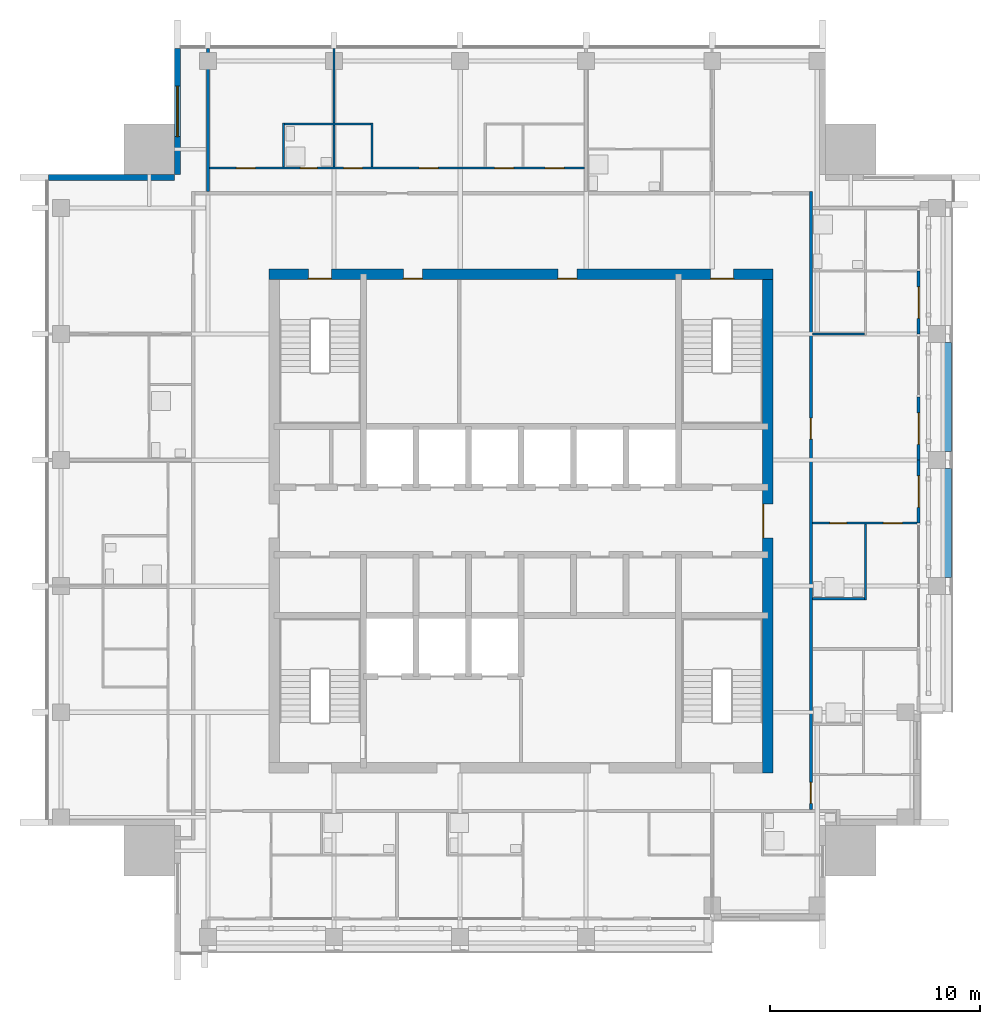
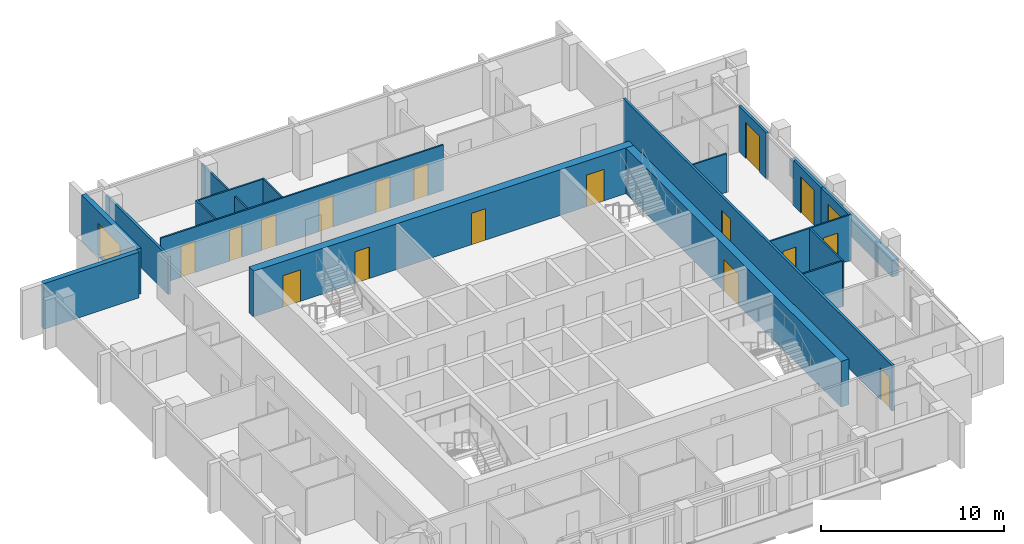
# One storey, part 10 of 15: 20 walls, 18 doors, 1 window, 19 openings.
"""IFC4 building model written with IfcOpenShell, lengths in metres."""

from ifc_helpers import new_model, si_unit, direction, frame, frame_2d, origin, place, context, subcontext, project, spatial, rectangle, extrude, material, layer, layer_set, type_object, element, fill, save


model = new_model("IFC4")

# Units and contexts
model_context = context("Model", 3, precision=1e-05, world=origin(), true_north=direction((0.0, 1.0)))
body_context = subcontext(model_context, "Body", "Model", "MODEL_VIEW")
ifc_project = project(units=[si_unit("LENGTHUNIT", "METRE"), si_unit("AREAUNIT", "SQUARE_METRE"), si_unit("VOLUMEUNIT", "CUBIC_METRE"), si_unit("PLANEANGLEUNIT", "RADIAN"), si_unit("MASSUNIT", "GRAM", prefix="KILO")], contexts=[model_context])

# Site, building, storey
site_placement = place(None, origin())
site = spatial("IfcSite", under=ifc_project, at=site_placement, CompositionType="ELEMENT")
building_placement = place(site_placement, origin())
building = spatial("IfcBuilding", under=site, at=building_placement, Name="Amberfall Residences", CompositionType="ELEMENT")
storey_placement = place(building_placement, frame((0.0, 0.0, 268.60009765625)))
storey = spatial("IfcBuildingStorey", under=building, at=storey_placement, Name="L72", CompositionType="ELEMENT", Elevation=268.60009765625)

# Wall, opening, window
ifc_material_1 = material(Name="Pale stone cladding on insulated backing", Category="masonry")
ifc_layer_1 = layer(ifc_material_1, 0.300048828125)
ifc_layer_set_1 = layer_set([ifc_layer_1], Name="Bronze clad wall 300")
wall_type_1 = type_object("IfcWallType", Name="Bronze clad wall 300", PredefinedType="SOLIDWALL", material=ifc_layer_set_1)
wall_1_placement = place(storey_placement, frame((58.14990234375, 68.0, 0.0), z_axis=(0.0, 0.0, 1.0), x_axis=(0.0, -1.0, 0.0)))
wall_1 = element("IfcWall", 1, at=wall_1_placement, inside=storey, type_object=wall_type_1, Name="External wall L72 NW", PredefinedType="SOLIDWALL", context=body_context, shape_type="SweptSolid", body=[
    extrude(rectangle(XDim=6.0, YDim=0.300048828125, at=frame_2d((3.0, 0.0))), origin(), (0.0, 0.0, 1.0), 3.0498046875),
])
opening_1_placement = place(wall_1_placement, frame((1.800048828125, 0.0, 0.14990234375)))
opening_1 = element("IfcOpeningElement", 2, at=opening_1_placement, cuts=wall_1, Name="Opening WN5", PredefinedType="OPENING", context=body_context, shape_type="SweptSolid", body=[
    extrude(rectangle(XDim=2.39990234375, YDim=2.10009765625, at=frame_2d((1.199951171875, 1.050048828125))), frame((0.0, 0.159912109375, 0.0), z_axis=(0.0, -1.0, 0.0), x_axis=(1.0, 0.0, 0.0)), (0.0, 0.0, 1.0), 0.320068359375),
])
ifc_material_2 = material(Name="Bronze aluminium framed glazing", Category="aluminium")
window_type = type_object("IfcWindowType", Name="Glazed opening 2400 x 2100 bronze", PartitioningType="DOUBLE_PANEL_VERTICAL", PredefinedType="WINDOW", material=ifc_material_2)
window_placement = place(opening_1_placement, origin())
window = element("IfcWindow", 3, at=window_placement, inside=storey, type_object=window_type, Name="Window L72 NW", OverallHeight=2.10009765625, OverallWidth=2.39990234375, PartitioningType="DOUBLE_PANEL_VERTICAL", PredefinedType="WINDOW", context=body_context, shape_type="SweptSolid", body=[
    extrude(rectangle(XDim=2.39990234375, YDim=2.10009765625, at=frame_2d((1.199951171875, 1.050048828125))), frame((0.0, 0.030029296875, 0.0), z_axis=(0.0, -1.0, 0.0), x_axis=(1.0, 0.0, 0.0)), (0.0, 0.0, 1.0), 0.06005859375),
])
fill(opening_1, window)

# Wall
wall_2_placement = place(storey_placement, frame((58.0, 61.85009765625, 0.0), z_axis=(0.0, 0.0, 1.0), x_axis=(-1.0, 0.0, 0.0)))
element("IfcWall", 4, at=wall_2_placement, inside=storey, type_object=wall_type_1, Name="External wall L72 NW", PredefinedType="SOLIDWALL", context=body_context, shape_type="SweptSolid", body=[
    extrude(rectangle(XDim=6.0, YDim=0.300048828125, at=frame_2d((3.0, 0.0))), origin(), (0.0, 0.0, 1.0), 3.0498046875),
])

# Wall, openings, doors
ifc_material_3 = material(Name="Concrete C50", Category="concrete")
ifc_layer_2 = layer(ifc_material_3, 0.5)
ifc_layer_set_2 = layer_set([ifc_layer_2], Name="Core wall 500 C50")
wall_type_2 = type_object("IfcWallType", Name="Core wall 500 C50", PredefinedType="SHEAR", material=ifc_layer_set_2)
wall_3_placement = place(storey_placement, frame((62.5, 57.25, 0.0), z_axis=(0.0, 0.0, 1.0), x_axis=(1.0, 0.0, 0.0)))
wall_3 = element("IfcWall", 5, at=wall_3_placement, inside=storey, type_object=wall_type_2, Name="Core wall RW9 L72 ON", PredefinedType="SHEAR", context=body_context, shape_type="SweptSolid", body=[
    extrude(rectangle(XDim=24.0, YDim=0.5, at=frame_2d((12.0, 0.0))), origin(), (0.0, 0.0, 1.0), 3.0498046875),
])
opening_2_placement = place(wall_3_placement, frame((21.02490234375, 0.0, 0.0)))
opening_2 = element("IfcOpeningElement", 6, at=opening_2_placement, cuts=wall_3, Name="Opening SD1", PredefinedType="OPENING", context=body_context, shape_type="SweptSolid", body=[
    extrude(rectangle(XDim=1.10009765625, YDim=2.10009765625, at=frame_2d((0.550048828125, 1.050048828125))), frame((0.0, 0.260009765625, 0.0), z_axis=(0.0, -1.0, 0.0), x_axis=(1.0, 0.0, 0.0)), (0.0, 0.0, 1.0), 0.52001953125),
])
opening_3_placement = place(wall_3_placement, frame((1.875, 0.0, 0.0)))
opening_3 = element("IfcOpeningElement", 7, at=opening_3_placement, cuts=wall_3, Name="Opening SD1", PredefinedType="OPENING", context=body_context, shape_type="SweptSolid", body=[
    extrude(rectangle(XDim=1.10009765625, YDim=2.10009765625, at=frame_2d((0.550048828125, 1.050048828125))), frame((0.0, 0.260009765625, 0.0), z_axis=(0.0, -1.0, 0.0), x_axis=(1.0, 0.0, 0.0)), (0.0, 0.0, 1.0), 0.52001953125),
])
opening_4_placement = place(wall_3_placement, frame((6.405029296875, 0.0, 0.0)))
opening_4 = element("IfcOpeningElement", 8, at=opening_4_placement, cuts=wall_3, Name="Opening RD1", PredefinedType="OPENING", context=body_context, shape_type="SweptSolid", body=[
    extrude(rectangle(XDim=0.89990234375, YDim=2.10009765625, at=frame_2d((0.449951171875, 1.050048828125))), frame((0.0, 0.260009765625, 0.0), z_axis=(0.0, -1.0, 0.0), x_axis=(1.0, 0.0, 0.0)), (0.0, 0.0, 1.0), 0.52001953125),
])
opening_5_placement = place(wall_3_placement, frame((13.7548828125, 0.0, 0.0)))
opening_5 = element("IfcOpeningElement", 9, at=opening_5_placement, cuts=wall_3, Name="Opening RD1", PredefinedType="OPENING", context=body_context, shape_type="SweptSolid", body=[
    extrude(rectangle(XDim=0.89990234375, YDim=2.10009765625, at=frame_2d((0.449951171875, 1.050048828125))), frame((0.0, 0.260009765625, 0.0), z_axis=(0.0, -1.0, 0.0), x_axis=(1.0, 0.0, 0.0)), (0.0, 0.0, 1.0), 0.52001953125),
])
ifc_material_4 = material(Name="Steel fire door set", Category="steel")
door_type_1 = type_object("IfcDoorType", Name="Service room door 900 x 2100", OperationType="SINGLE_SWING_LEFT", PredefinedType="DOOR", material=ifc_material_4)
door_1_placement = place(opening_4_placement, origin())
door_1 = element("IfcDoor", 10, at=door_1_placement, inside=storey, type_object=door_type_1, Name="RD1 L72", OperationType="SINGLE_SWING_RIGHT", OverallHeight=2.10009765625, OverallWidth=0.89990234375, PredefinedType="DOOR", context=body_context, shape_type="SweptSolid", body=[
    extrude(rectangle(XDim=0.89990234375, YDim=2.10009765625, at=frame_2d((0.449951171875, 1.050048828125))), frame((0.0, -0.1875, 0.0), z_axis=(0.0, -1.0, 0.0), x_axis=(1.0, 0.0, 0.0)), (0.0, 0.0, 1.0), 0.050048828125),
])
fill(opening_4, door_1)
door_2_placement = place(opening_5_placement, origin())
door_2 = element("IfcDoor", 11, at=door_2_placement, inside=storey, type_object=door_type_1, Name="RD1 L72", OperationType="SINGLE_SWING_RIGHT", OverallHeight=2.10009765625, OverallWidth=0.89990234375, PredefinedType="DOOR", context=body_context, shape_type="SweptSolid", body=[
    extrude(rectangle(XDim=0.89990234375, YDim=2.10009765625, at=frame_2d((0.449951171875, 1.050048828125))), frame((0.0, -0.1875, 0.0), z_axis=(0.0, -1.0, 0.0), x_axis=(1.0, 0.0, 0.0)), (0.0, 0.0, 1.0), 0.050048828125),
])
fill(opening_5, door_2)
door_type_2 = type_object("IfcDoorType", Name="Stair door 1100 x 2100", OperationType="SINGLE_SWING_LEFT", PredefinedType="DOOR", material=ifc_material_4)
door_3_placement = place(opening_2_placement, origin())
door_3 = element("IfcDoor", 12, at=door_3_placement, inside=storey, type_object=door_type_2, Name="SD1 L72", OperationType="SINGLE_SWING_RIGHT", OverallHeight=2.10009765625, OverallWidth=1.10009765625, PredefinedType="DOOR", context=body_context, shape_type="SweptSolid", body=[
    extrude(rectangle(XDim=1.10009765625, YDim=2.10009765625, at=frame_2d((0.550048828125, 1.050048828125))), frame((0.0, -0.1875, 0.0), z_axis=(0.0, -1.0, 0.0), x_axis=(1.0, 0.0, 0.0)), (0.0, 0.0, 1.0), 0.050048828125),
])
fill(opening_2, door_3)
door_4_placement = place(opening_3_placement, origin())
door_4 = element("IfcDoor", 13, at=door_4_placement, inside=storey, type_object=door_type_2, Name="SD1 L72", OperationType="SINGLE_SWING_LEFT", OverallHeight=2.10009765625, OverallWidth=1.10009765625, PredefinedType="DOOR", context=body_context, shape_type="SweptSolid", body=[
    extrude(rectangle(XDim=1.10009765625, YDim=2.10009765625, at=frame_2d((0.550048828125, 1.050048828125))), frame((0.0, -0.1875, 0.0), z_axis=(0.0, -1.0, 0.0), x_axis=(1.0, 0.0, 0.0)), (0.0, 0.0, 1.0), 0.050048828125),
])
fill(opening_3, door_4)

# Wall, opening, door
wall_4_placement = place(storey_placement, frame((86.25, 33.5, 0.0), z_axis=(0.0, 0.0, 1.0), x_axis=(0.0, 1.0, 0.0)))
wall_4 = element("IfcWall", 14, at=wall_4_placement, inside=storey, type_object=wall_type_2, Name="Core wall RW9 L72 OE", PredefinedType="SHEAR", context=body_context, shape_type="SweptSolid", body=[
    extrude(rectangle(XDim=24.0, YDim=0.5, at=frame_2d((12.0, 0.0))), origin(), (0.0, 0.0, 1.0), 3.0498046875),
])
opening_6_placement = place(wall_4_placement, frame((11.199951171875, 0.0, 0.0)))
opening_6 = element("IfcOpeningElement", 15, at=opening_6_placement, cuts=wall_4, Name="Opening LB1", PredefinedType="OPENING", context=body_context, shape_type="SweptSolid", body=[
    extrude(rectangle(XDim=1.60009765625, YDim=2.10009765625, at=frame_2d((0.800048828125, 1.050048828125))), frame((0.0, 0.260009765625, 0.0), z_axis=(0.0, -1.0, 0.0), x_axis=(1.0, 0.0, 0.0)), (0.0, 0.0, 1.0), 0.52001953125),
])
door_type_3 = type_object("IfcDoorType", Name="Lift lobby double door 1600 x 2100", OperationType="DOUBLE_DOOR_SINGLE_SWING", PredefinedType="DOOR", material=ifc_material_4)
door_5_placement = place(opening_6_placement, origin())
door_5 = element("IfcDoor", 16, at=door_5_placement, inside=storey, type_object=door_type_3, Name="LB1 L72", OperationType="DOUBLE_DOOR_SINGLE_SWING", OverallHeight=2.10009765625, OverallWidth=1.60009765625, PredefinedType="DOOR", context=body_context, shape_type="SweptSolid", body=[
    extrude(rectangle(XDim=1.60009765625, YDim=2.10009765625, at=frame_2d((0.800048828125, 1.050048828125))), frame((0.0, 0.2373046875, 0.0), z_axis=(0.0, -1.0, 0.0), x_axis=(1.0, 0.0, 0.0)), (0.0, 0.0, 1.0), 0.050048828125),
])
fill(opening_6, door_5)

# Walls
ifc_material_5 = material(Name="Gypsum board on metal stud")
ifc_layer_3 = layer(ifc_material_5, 0.10009765625)
ifc_layer_set_3 = layer_set([ifc_layer_3], Name="Flat partition 100")
wall_type_3 = type_object("IfcWallType", Name="Flat partition 100", PredefinedType="PARTITIONING", material=ifc_layer_set_3)
wall_5_placement = place(storey_placement, frame((63.199951171875, 62.35009765625, 0.0), z_axis=(0.0, 0.0, 1.0), x_axis=(0.0, 1.0, 0.0)))
element("IfcWall", 17, at=wall_5_placement, inside=storey, type_object=wall_type_3, Name="Partition 005", PredefinedType="PARTITIONING", context=body_context, shape_type="SweptSolid", body=[
    extrude(rectangle(XDim=2.099853515625, YDim=0.10009765625, at=frame_2d((1.0498046875, 0.0))), origin(), (0.0, 0.0, 1.0), 3.0498046875),
])
wall_6_placement = place(storey_placement, frame((65.60009765625, 62.35009765625, 0.0), z_axis=(0.0, 0.0, 1.0), x_axis=(0.0, 1.0, 0.0)))
element("IfcWall", 18, at=wall_6_placement, inside=storey, type_object=wall_type_3, Name="Partition 007", PredefinedType="PARTITIONING", context=body_context, shape_type="SweptSolid", body=[
    extrude(rectangle(XDim=5.64990234375, YDim=0.10009765625, at=frame_2d((2.824951171875, 0.0))), origin(), (0.0, 0.0, 1.0), 2.515869140625),
])
wall_7_placement = place(storey_placement, frame((67.39990234375, 62.35009765625, 0.0), z_axis=(0.0, 0.0, 1.0), x_axis=(0.0, 1.0, 0.0)))
element("IfcWall", 19, at=wall_7_placement, inside=storey, type_object=wall_type_3, Name="Partition 008", PredefinedType="PARTITIONING", context=body_context, shape_type="SweptSolid", body=[
    extrude(rectangle(XDim=2.099853515625, YDim=0.10009765625, at=frame_2d((1.0498046875, 0.0))), origin(), (0.0, 0.0, 1.0), 3.0498046875),
])
wall_8_placement = place(storey_placement, frame((90.89990234375, 41.75, 0.0), z_axis=(0.0, 0.0, 1.0), x_axis=(0.0, 1.0, 0.0)))
element("IfcWall", 20, at=wall_8_placement, inside=storey, type_object=wall_type_3, Name="Partition 019", PredefinedType="PARTITIONING", context=body_context, shape_type="SweptSolid", body=[
    extrude(rectangle(XDim=3.60009765625, YDim=0.10009765625, at=frame_2d((1.800048828125, 0.0))), origin(), (0.0, 0.0, 1.0), 3.0498046875),
])
wall_9_placement = place(storey_placement, frame((63.25, 64.39990234375, 0.0), z_axis=(0.0, 0.0, 1.0), x_axis=(1.0, 0.0, 0.0)))
element("IfcWall", 21, at=wall_9_placement, inside=storey, type_object=wall_type_3, Name="Partition 021", PredefinedType="PARTITIONING", context=body_context, shape_type="SweptSolid", body=[
    extrude(rectangle(XDim=4.10009765625, YDim=0.10009765625, at=frame_2d((2.050048828125, 0.0))), origin(), (0.0, 0.0, 1.0), 3.0498046875),
])

# Wall, openings, doors
wall_10_placement = place(storey_placement, frame((59.675048828125, 62.300048828125, 0.0), z_axis=(0.0, 0.0, 1.0), x_axis=(1.0, 0.0, 0.0)))
wall_10 = element("IfcWall", 22, at=wall_10_placement, inside=storey, type_object=wall_type_3, Name="Partition 024", PredefinedType="PARTITIONING", context=body_context, shape_type="SweptSolid", body=[
    extrude(rectangle(XDim=17.849853515625, YDim=0.10009765625, at=frame_2d((8.9248046875, 0.0))), origin(), (0.0, 0.0, 1.0), 3.0498046875),
])
opening_7_placement = place(wall_10_placement, frame((9.97509765625, 0.0, 0.0)))
opening_7 = element("IfcOpeningElement", 23, at=opening_7_placement, cuts=wall_10, Name="Opening D41", PredefinedType="OPENING", context=body_context, shape_type="SweptSolid", body=[
    extrude(rectangle(XDim=0.89990234375, YDim=2.10009765625, at=frame_2d((0.449951171875, 1.050048828125))), frame((0.0, 0.06005859375, 0.0), z_axis=(0.0, -1.0, 0.0), x_axis=(1.0, 0.0, 0.0)), (0.0, 0.0, 1.0), 0.1201171875),
])
opening_8_placement = place(wall_10_placement, frame((15.97509765625, 0.0, 0.0)))
opening_8 = element("IfcOpeningElement", 24, at=opening_8_placement, cuts=wall_10, Name="Opening D41", PredefinedType="OPENING", context=body_context, shape_type="SweptSolid", body=[
    extrude(rectangle(XDim=0.89990234375, YDim=2.10009765625, at=frame_2d((0.449951171875, 1.050048828125))), frame((0.0, 0.06005859375, 0.0), z_axis=(0.0, -1.0, 0.0), x_axis=(1.0, 0.0, 0.0)), (0.0, 0.0, 1.0), 0.1201171875),
])
opening_9_placement = place(wall_10_placement, frame((13.574951171875, 0.0, 0.0)))
opening_9 = element("IfcOpeningElement", 25, at=opening_9_placement, cuts=wall_10, Name="Opening D41", PredefinedType="OPENING", context=body_context, shape_type="SweptSolid", body=[
    extrude(rectangle(XDim=0.89990234375, YDim=2.10009765625, at=frame_2d((0.449951171875, 1.050048828125))), frame((0.0, 0.06005859375, 0.0), z_axis=(0.0, -1.0, 0.0), x_axis=(1.0, 0.0, 0.0)), (0.0, 0.0, 1.0), 0.1201171875),
])
opening_10_placement = place(wall_10_placement, frame((6.375, 0.0, 0.0)))
opening_10 = element("IfcOpeningElement", 26, at=opening_10_placement, cuts=wall_10, Name="Opening D41", PredefinedType="OPENING", context=body_context, shape_type="SweptSolid", body=[
    extrude(rectangle(XDim=0.89990234375, YDim=2.10009765625, at=frame_2d((0.449951171875, 1.050048828125))), frame((0.0, 0.06005859375, 0.0), z_axis=(0.0, -1.0, 0.0), x_axis=(1.0, 0.0, 0.0)), (0.0, 0.0, 1.0), 0.1201171875),
])
opening_11_placement = place(wall_10_placement, frame((1.27490234375, 0.0, 0.0)))
opening_11 = element("IfcOpeningElement", 27, at=opening_11_placement, cuts=wall_10, Name="Opening D41", PredefinedType="OPENING", context=body_context, shape_type="SweptSolid", body=[
    extrude(rectangle(XDim=0.89990234375, YDim=2.10009765625, at=frame_2d((0.449951171875, 1.050048828125))), frame((0.0, 0.06005859375, 0.0), z_axis=(0.0, -1.0, 0.0), x_axis=(1.0, 0.0, 0.0)), (0.0, 0.0, 1.0), 0.1201171875),
])
opening_12_placement = place(wall_10_placement, frame((4.324951171875, 0.0, 0.0)))
opening_12 = element("IfcOpeningElement", 28, at=opening_12_placement, cuts=wall_10, Name="Opening D42", PredefinedType="OPENING", context=body_context, shape_type="SweptSolid", body=[
    extrude(rectangle(XDim=0.800048828125, YDim=2.10009765625, at=frame_2d((0.39990234375, 1.050048828125))), frame((0.0, 0.06005859375, 0.0), z_axis=(0.0, -1.0, 0.0), x_axis=(1.0, 0.0, 0.0)), (0.0, 0.0, 1.0), 0.1201171875),
])
ifc_material_6 = material(Name="Timber", Category="wood")
door_type_4 = type_object("IfcDoorType", Name="Bathroom door 800 x 2100", OperationType="SINGLE_SWING_LEFT", PredefinedType="DOOR", material=ifc_material_6)
door_6_placement = place(opening_12_placement, origin())
door_6 = element("IfcDoor", 29, at=door_6_placement, inside=storey, type_object=door_type_4, Name="Door 7205 bath1", OperationType="SINGLE_SWING_LEFT", OverallHeight=2.10009765625, OverallWidth=0.800048828125, PredefinedType="DOOR", context=body_context, shape_type="SweptSolid", body=[
    extrude(rectangle(XDim=0.800048828125, YDim=2.10009765625, at=frame_2d((0.39990234375, 1.050048828125))), frame((0.0, 0.02490234375, 0.0), z_axis=(0.0, -1.0, 0.0), x_axis=(1.0, 0.0, 0.0)), (0.0, 0.0, 1.0), 0.050048828125),
])
fill(opening_12, door_6)
door_type_5 = type_object("IfcDoorType", Name="Internal door 900 x 2100", OperationType="SINGLE_SWING_LEFT", PredefinedType="DOOR", material=ifc_material_6)
door_7_placement = place(opening_7_placement, origin())
door_7 = element("IfcDoor", 30, at=door_7_placement, inside=storey, type_object=door_type_5, Name="Door 7205 living", OperationType="SINGLE_SWING_LEFT", OverallHeight=2.10009765625, OverallWidth=0.89990234375, PredefinedType="DOOR", context=body_context, shape_type="SweptSolid", body=[
    extrude(rectangle(XDim=0.89990234375, YDim=2.10009765625, at=frame_2d((0.449951171875, 1.050048828125))), frame((0.0, 0.02490234375, 0.0), z_axis=(0.0, -1.0, 0.0), x_axis=(1.0, 0.0, 0.0)), (0.0, 0.0, 1.0), 0.050048828125),
])
fill(opening_7, door_7)
door_8_placement = place(opening_8_placement, origin())
door_8 = element("IfcDoor", 31, at=door_8_placement, inside=storey, type_object=door_type_5, Name="Door 7205 kitchen", OperationType="SINGLE_SWING_LEFT", OverallHeight=2.10009765625, OverallWidth=0.89990234375, PredefinedType="DOOR", context=body_context, shape_type="SweptSolid", body=[
    extrude(rectangle(XDim=0.89990234375, YDim=2.10009765625, at=frame_2d((0.449951171875, 1.050048828125))), frame((0.0, 0.02490234375, 0.0), z_axis=(0.0, -1.0, 0.0), x_axis=(1.0, 0.0, 0.0)), (0.0, 0.0, 1.0), 0.050048828125),
])
fill(opening_8, door_8)
door_9_placement = place(opening_9_placement, origin())
door_9 = element("IfcDoor", 32, at=door_9_placement, inside=storey, type_object=door_type_5, Name="Door 7205 utility", OperationType="SINGLE_SWING_LEFT", OverallHeight=2.10009765625, OverallWidth=0.89990234375, PredefinedType="DOOR", context=body_context, shape_type="SweptSolid", body=[
    extrude(rectangle(XDim=0.89990234375, YDim=2.10009765625, at=frame_2d((0.449951171875, 1.050048828125))), frame((0.0, 0.02490234375, 0.0), z_axis=(0.0, -1.0, 0.0), x_axis=(1.0, 0.0, 0.0)), (0.0, 0.0, 1.0), 0.050048828125),
])
fill(opening_9, door_9)
door_10_placement = place(opening_10_placement, origin())
door_10 = element("IfcDoor", 33, at=door_10_placement, inside=storey, type_object=door_type_5, Name="Door 7205 store", OperationType="SINGLE_SWING_LEFT", OverallHeight=2.10009765625, OverallWidth=0.89990234375, PredefinedType="DOOR", context=body_context, shape_type="SweptSolid", body=[
    extrude(rectangle(XDim=0.89990234375, YDim=2.10009765625, at=frame_2d((0.449951171875, 1.050048828125))), frame((0.0, 0.02490234375, 0.0), z_axis=(0.0, -1.0, 0.0), x_axis=(1.0, 0.0, 0.0)), (0.0, 0.0, 1.0), 0.050048828125),
])
fill(opening_10, door_10)
door_11_placement = place(opening_11_placement, origin())
door_11 = element("IfcDoor", 34, at=door_11_placement, inside=storey, type_object=door_type_5, Name="Door 7205 bedroom1", OperationType="SINGLE_SWING_LEFT", OverallHeight=2.10009765625, OverallWidth=0.89990234375, PredefinedType="DOOR", context=body_context, shape_type="SweptSolid", body=[
    extrude(rectangle(XDim=0.89990234375, YDim=2.10009765625, at=frame_2d((0.449951171875, 1.050048828125))), frame((0.0, 0.02490234375, 0.0), z_axis=(0.0, -1.0, 0.0), x_axis=(1.0, 0.0, 0.0)), (0.0, 0.0, 1.0), 0.050048828125),
])
fill(opening_11, door_11)

# Wall
wall_11_placement = place(storey_placement, frame((88.375, 54.39990234375, 0.0), z_axis=(0.0, 0.0, 1.0), x_axis=(1.0, 0.0, 0.0)))
element("IfcWall", 35, at=wall_11_placement, inside=storey, type_object=wall_type_3, Name="Partition 027", PredefinedType="PARTITIONING", context=body_context, shape_type="SweptSolid", body=[
    extrude(rectangle(XDim=2.47509765625, YDim=0.10009765625, at=frame_2d((1.237548828125, 0.0))), origin(), (0.0, 0.0, 1.0), 2.58984375),
])

# Wall, openings, doors
wall_12_placement = place(storey_placement, frame((93.5, 45.39990234375, 0.0), z_axis=(0.0, 0.0, 1.0), x_axis=(-1.0, 0.0, 0.0)))
wall_12 = element("IfcWall", 36, at=wall_12_placement, inside=storey, type_object=wall_type_3, Name="Partition 029", PredefinedType="PARTITIONING", context=body_context, shape_type="SweptSolid", body=[
    extrude(rectangle(XDim=5.125, YDim=0.10009765625, at=frame_2d((2.5625, 0.0))), origin(), (0.0, 0.0, 1.0), 3.0498046875),
])
opening_13_placement = place(wall_12_placement, frame((0.85009765625, 0.0, 0.0)))
opening_13 = element("IfcOpeningElement", 37, at=opening_13_placement, cuts=wall_12, Name="Opening D41", PredefinedType="OPENING", context=body_context, shape_type="SweptSolid", body=[
    extrude(rectangle(XDim=0.89990234375, YDim=2.10009765625, at=frame_2d((0.449951171875, 1.050048828125))), frame((0.0, 0.06005859375, 0.0), z_axis=(0.0, -1.0, 0.0), x_axis=(1.0, 0.0, 0.0)), (0.0, 0.0, 1.0), 0.1201171875),
])
opening_14_placement = place(wall_12_placement, frame((3.5, 0.0, 0.0)))
opening_14 = element("IfcOpeningElement", 38, at=opening_14_placement, cuts=wall_12, Name="Opening D42", PredefinedType="OPENING", context=body_context, shape_type="SweptSolid", body=[
    extrude(rectangle(XDim=0.800048828125, YDim=2.10009765625, at=frame_2d((0.39990234375, 1.050048828125))), frame((0.0, 0.06005859375, 0.0), z_axis=(0.0, -1.0, 0.0), x_axis=(1.0, 0.0, 0.0)), (0.0, 0.0, 1.0), 0.1201171875),
])
door_12_placement = place(opening_14_placement, origin())
door_12 = element("IfcDoor", 39, at=door_12_placement, inside=storey, type_object=door_type_4, Name="Door 7204 bath1", OperationType="SINGLE_SWING_LEFT", OverallHeight=2.10009765625, OverallWidth=0.800048828125, PredefinedType="DOOR", context=body_context, shape_type="SweptSolid", body=[
    extrude(rectangle(XDim=0.800048828125, YDim=2.10009765625, at=frame_2d((0.39990234375, 1.050048828125))), frame((0.0, 0.02490234375, 0.0), z_axis=(0.0, -1.0, 0.0), x_axis=(1.0, 0.0, 0.0)), (0.0, 0.0, 1.0), 0.050048828125),
])
fill(opening_14, door_12)
door_13_placement = place(opening_13_placement, origin())
door_13 = element("IfcDoor", 40, at=door_13_placement, inside=storey, type_object=door_type_5, Name="Door 7204 bedroom1", OperationType="SINGLE_SWING_LEFT", OverallHeight=2.10009765625, OverallWidth=0.89990234375, PredefinedType="DOOR", context=body_context, shape_type="SweptSolid", body=[
    extrude(rectangle(XDim=0.89990234375, YDim=2.10009765625, at=frame_2d((0.449951171875, 1.050048828125))), frame((0.0, 0.02490234375, 0.0), z_axis=(0.0, -1.0, 0.0), x_axis=(1.0, 0.0, 0.0)), (0.0, 0.0, 1.0), 0.050048828125),
])
fill(opening_13, door_13)

# Walls
wall_13_placement = place(storey_placement, frame((88.375, 41.800048828125, 0.0), z_axis=(0.0, 0.0, 1.0), x_axis=(1.0, 0.0, 0.0)))
element("IfcWall", 41, at=wall_13_placement, inside=storey, type_object=wall_type_3, Name="Partition 032", PredefinedType="PARTITIONING", context=body_context, shape_type="SweptSolid", body=[
    extrude(rectangle(XDim=2.47509765625, YDim=0.10009765625, at=frame_2d((1.237548828125, 0.0))), origin(), (0.0, 0.0, 1.0), 3.0498046875),
])
ifc_material_7 = material(Name="Blockwork, plastered", Category="masonry")
ifc_layer_4 = layer(ifc_material_7, 0.14990234375)
ifc_layer_set_4 = layer_set([ifc_layer_4], Name="Flat separating wall 150")
wall_type_4 = type_object("IfcWallType", Name="Flat separating wall 150", PredefinedType="PARTITIONING", material=ifc_layer_set_4)
wall_14_placement = place(storey_placement, frame((59.60009765625, 61.175048828125, 0.0), z_axis=(0.0, 0.0, 1.0), x_axis=(0.0, 1.0, 0.0)))
element("IfcWall", 42, at=wall_14_placement, inside=storey, type_object=wall_type_4, Name="Separating wall 043", PredefinedType="PARTITIONING", context=body_context, shape_type="SweptSolid", body=[
    extrude(rectangle(XDim=6.824951171875, YDim=0.14990234375, at=frame_2d((3.41259765625, 0.0))), origin(), (0.0, 0.0, 1.0), 2.510009765625),
])

# Wall, openings, doors
wall_15_placement = place(storey_placement, frame((88.300048828125, 61.175048828125, 0.0), z_axis=(0.0, 0.0, 1.0), x_axis=(0.0, -1.0, 0.0)))
wall_15 = element("IfcWall", 43, at=wall_15_placement, inside=storey, type_object=wall_type_4, Name="Separating wall 046", PredefinedType="PARTITIONING", context=body_context, shape_type="SweptSolid", body=[
    extrude(rectangle(XDim=29.400146484375, YDim=0.14990234375, at=frame_2d((14.7001953125, 0.0))), origin(), (0.0, 0.0, 1.0), 3.0498046875),
])
opening_15_placement = place(wall_15_placement, frame((28.112548828125, 0.0, 0.0)))
opening_15 = element("IfcOpeningElement", 44, at=opening_15_placement, cuts=wall_15, Name="Opening D40", PredefinedType="OPENING", context=body_context, shape_type="SweptSolid", body=[
    extrude(rectangle(XDim=1.0, YDim=2.10009765625, at=frame_2d((0.5, 1.050048828125))), frame((0.0, 0.0849609375, 0.0), z_axis=(0.0, -1.0, 0.0), x_axis=(1.0, 0.0, 0.0)), (0.0, 0.0, 1.0), 0.169921875),
])
opening_16_placement = place(wall_15_placement, frame((10.77490234375, 0.0, 0.0)))
opening_16 = element("IfcOpeningElement", 45, at=opening_16_placement, cuts=wall_15, Name="Opening D40", PredefinedType="OPENING", context=body_context, shape_type="SweptSolid", body=[
    extrude(rectangle(XDim=1.0, YDim=2.10009765625, at=frame_2d((0.5, 1.050048828125))), frame((0.0, 0.0849609375, 0.0), z_axis=(0.0, -1.0, 0.0), x_axis=(1.0, 0.0, 0.0)), (0.0, 0.0, 1.0), 0.169921875),
])
ifc_material_8 = material(Name="Timber, fire-rated", Category="wood")
door_type_6 = type_object("IfcDoorType", Name="Flat entrance door FD60 1000 x 2100", OperationType="SINGLE_SWING_LEFT", PredefinedType="DOOR", material=ifc_material_8)
door_14_placement = place(opening_15_placement, origin())
door_14 = element("IfcDoor", 46, at=door_14_placement, inside=storey, type_object=door_type_6, Name="Door 7203 entrance", OperationType="SINGLE_SWING_LEFT", OverallHeight=2.10009765625, OverallWidth=1.0, PredefinedType="DOOR", context=body_context, shape_type="SweptSolid", body=[
    extrude(rectangle(XDim=1.0, YDim=2.10009765625, at=frame_2d((0.5, 1.050048828125))), frame((0.0, 0.02490234375, 0.0), z_axis=(0.0, -1.0, 0.0), x_axis=(1.0, 0.0, 0.0)), (0.0, 0.0, 1.0), 0.050048828125),
])
fill(opening_15, door_14)
door_15_placement = place(opening_16_placement, origin())
door_15 = element("IfcDoor", 47, at=door_15_placement, inside=storey, type_object=door_type_6, Name="Door 7204 entrance", OperationType="SINGLE_SWING_LEFT", OverallHeight=2.10009765625, OverallWidth=1.0, PredefinedType="DOOR", context=body_context, shape_type="SweptSolid", body=[
    extrude(rectangle(XDim=1.0, YDim=2.10009765625, at=frame_2d((0.5, 1.050048828125))), frame((0.0, 0.02490234375, 0.0), z_axis=(0.0, -1.0, 0.0), x_axis=(1.0, 0.0, 0.0)), (0.0, 0.0, 1.0), 0.050048828125),
])
fill(opening_16, door_15)

# Wall, opening, door
ifc_layer_5 = layer(ifc_material_1, 0.14990234375)
ifc_layer_set_5 = layer_set([ifc_layer_5], Name="Terrace door infill wall 150")
wall_type_5 = type_object("IfcWallType", Name="Terrace door infill wall 150", PredefinedType="SOLIDWALL", material=ifc_layer_set_5)
wall_16_placement = place(storey_placement, frame((93.425048828125, 45.39990234375, 0.0), z_axis=(0.0, 0.0, 1.0), x_axis=(0.0, 1.0, 0.0)))
wall_16 = element("IfcWall", 48, at=wall_16_placement, inside=storey, type_object=wall_type_5, Name="Terrace door wall L72 E3", PredefinedType="SOLIDWALL", context=body_context, shape_type="SweptSolid", body=[
    extrude(rectangle(XDim=3.0, YDim=0.14990234375, at=frame_2d((1.5, 0.0))), origin(), (0.0, 0.0, 1.0), 3.0498046875),
])
opening_17_placement = place(wall_16_placement, frame((0.75, 0.0, 0.0)))
opening_17 = element("IfcOpeningElement", 49, at=opening_17_placement, cuts=wall_16, Name="Opening TD2", PredefinedType="OPENING", context=body_context, shape_type="SweptSolid", body=[
    extrude(rectangle(XDim=1.5, YDim=2.39990234375, at=frame_2d((0.75, 1.199951171875))), frame((0.0, 0.0849609375, 0.0), z_axis=(0.0, -1.0, 0.0), x_axis=(1.0, 0.0, 0.0)), (0.0, 0.0, 1.0), 0.169921875),
])
ifc_material_9 = material(Name="Bronze aluminium framed glazed door", Category="aluminium")
door_type_7 = type_object("IfcDoorType", Name="Terrace sliding door 1500 x 2400", OperationType="DOUBLE_DOOR_SLIDING", PredefinedType="DOOR", material=ifc_material_9)
door_16_placement = place(opening_17_placement, origin())
door_16 = element("IfcDoor", 50, at=door_16_placement, inside=storey, type_object=door_type_7, Name="Terrace door TD2", OperationType="DOUBLE_DOOR_SLIDING", OverallHeight=2.39990234375, OverallWidth=1.5, PredefinedType="DOOR", context=body_context, shape_type="SweptSolid", body=[
    extrude(rectangle(XDim=1.5, YDim=2.39990234375, at=frame_2d((0.75, 1.199951171875))), frame((0.0, 0.02490234375, 0.0), z_axis=(0.0, -1.0, 0.0), x_axis=(1.0, 0.0, 0.0)), (0.0, 0.0, 1.0), 0.050048828125),
])
fill(opening_17, door_16)

wall_17_placement = place(storey_placement, frame((93.425048828125, 48.39990234375, 0.0), z_axis=(0.0, 0.0, 1.0), x_axis=(0.0, 1.0, 0.0)))
wall_17 = element("IfcWall", 51, at=wall_17_placement, inside=storey, type_object=wall_type_5, Name="Terrace door wall L72 E4", PredefinedType="SOLIDWALL", context=body_context, shape_type="SweptSolid", body=[
    extrude(rectangle(XDim=3.0, YDim=0.14990234375, at=frame_2d((1.5, 0.0))), origin(), (0.0, 0.0, 1.0), 3.0498046875),
])
opening_18_placement = place(wall_17_placement, frame((0.75, 0.0, 0.0)))
opening_18 = element("IfcOpeningElement", 52, at=opening_18_placement, cuts=wall_17, Name="Opening TD2", PredefinedType="OPENING", context=body_context, shape_type="SweptSolid", body=[
    extrude(rectangle(XDim=1.5, YDim=2.39990234375, at=frame_2d((0.75, 1.199951171875))), frame((0.0, 0.0849609375, 0.0), z_axis=(0.0, -1.0, 0.0), x_axis=(1.0, 0.0, 0.0)), (0.0, 0.0, 1.0), 0.169921875),
])
door_17_placement = place(opening_18_placement, origin())
door_17 = element("IfcDoor", 53, at=door_17_placement, inside=storey, type_object=door_type_7, Name="Terrace door TD2", OperationType="DOUBLE_DOOR_SLIDING", OverallHeight=2.39990234375, OverallWidth=1.5, PredefinedType="DOOR", context=body_context, shape_type="SweptSolid", body=[
    extrude(rectangle(XDim=1.5, YDim=2.39990234375, at=frame_2d((0.75, 1.199951171875))), frame((0.0, 0.02490234375, 0.0), z_axis=(0.0, -1.0, 0.0), x_axis=(1.0, 0.0, 0.0)), (0.0, 0.0, 1.0), 0.050048828125),
])
fill(opening_18, door_17)

wall_18_placement = place(storey_placement, frame((93.425048828125, 54.39990234375, 0.0), z_axis=(0.0, 0.0, 1.0), x_axis=(0.0, 1.0, 0.0)))
wall_18 = element("IfcWall", 54, at=wall_18_placement, inside=storey, type_object=wall_type_5, Name="Terrace door wall L72 E5", PredefinedType="SOLIDWALL", context=body_context, shape_type="SweptSolid", body=[
    extrude(rectangle(XDim=3.0, YDim=0.14990234375, at=frame_2d((1.5, 0.0))), origin(), (0.0, 0.0, 1.0), 3.0498046875),
])
opening_19_placement = place(wall_18_placement, frame((0.75, 0.0, 0.0)))
opening_19 = element("IfcOpeningElement", 55, at=opening_19_placement, cuts=wall_18, Name="Opening TD2", PredefinedType="OPENING", context=body_context, shape_type="SweptSolid", body=[
    extrude(rectangle(XDim=1.5, YDim=2.39990234375, at=frame_2d((0.75, 1.199951171875))), frame((0.0, 0.0849609375, 0.0), z_axis=(0.0, -1.0, 0.0), x_axis=(1.0, 0.0, 0.0)), (0.0, 0.0, 1.0), 0.169921875),
])
door_18_placement = place(opening_19_placement, origin())
door_18 = element("IfcDoor", 56, at=door_18_placement, inside=storey, type_object=door_type_7, Name="Terrace door TD2", OperationType="DOUBLE_DOOR_SLIDING", OverallHeight=2.39990234375, OverallWidth=1.5, PredefinedType="DOOR", context=body_context, shape_type="SweptSolid", body=[
    extrude(rectangle(XDim=1.5, YDim=2.39990234375, at=frame_2d((0.75, 1.199951171875))), frame((0.0, 0.02490234375, 0.0), z_axis=(0.0, -1.0, 0.0), x_axis=(1.0, 0.0, 0.0)), (0.0, 0.0, 1.0), 0.050048828125),
])
fill(opening_19, door_18)

# Walls
ifc_material_10 = material(Name="Pale stone faced Concrete C40", Category="masonry")
ifc_layer_6 = layer(ifc_material_10, 0.39990234375)
ifc_layer_set_6 = layer_set([ifc_layer_6], Name="Terrace parapet wall 400")
wall_type_6 = type_object("IfcWallType", Name="Terrace parapet wall 400", PredefinedType="PARAPET", material=ifc_layer_set_6)
for number, where, z_axis, x_axis, name in (
    (57, (94.800048828125, 42.800048828125, 0.02978515625), (0.0, 0.0, 1.0), (0.0, 1.0, 0.0), "Terrace parapet L72 E3"),
    (58, (94.800048828125, 48.800048828125, 0.02978515625), (0.0, 0.0, 1.0), (0.0, 1.0, 0.0), "Terrace parapet L72 E4"),
):
    element("IfcWall", number, at=place(storey_placement, frame(where, z_axis=z_axis, x_axis=x_axis)), inside=storey, type_object=wall_type_6, Name=name, PredefinedType="PARAPET", context=body_context, shape_type="SweptSolid", body=[
        extrude(rectangle(XDim=5.199951171875, YDim=0.39990234375, at=frame_2d((2.60009765625, 0.0))), origin(), (0.0, 0.0, 1.0), 1.10009765625),
    ])

save(model, "model.ifc")
